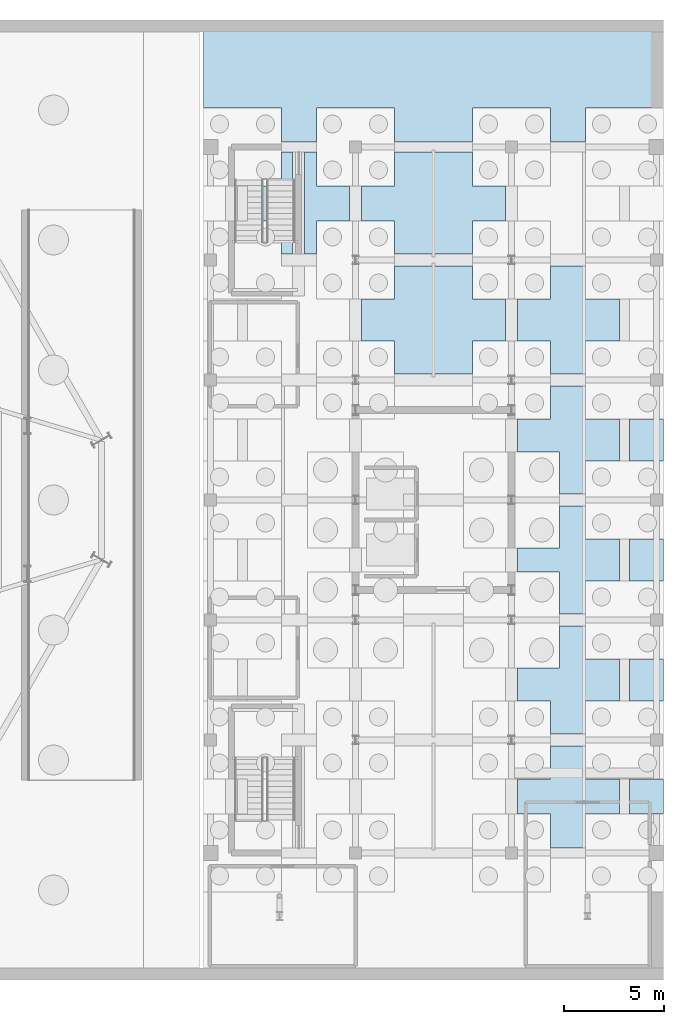
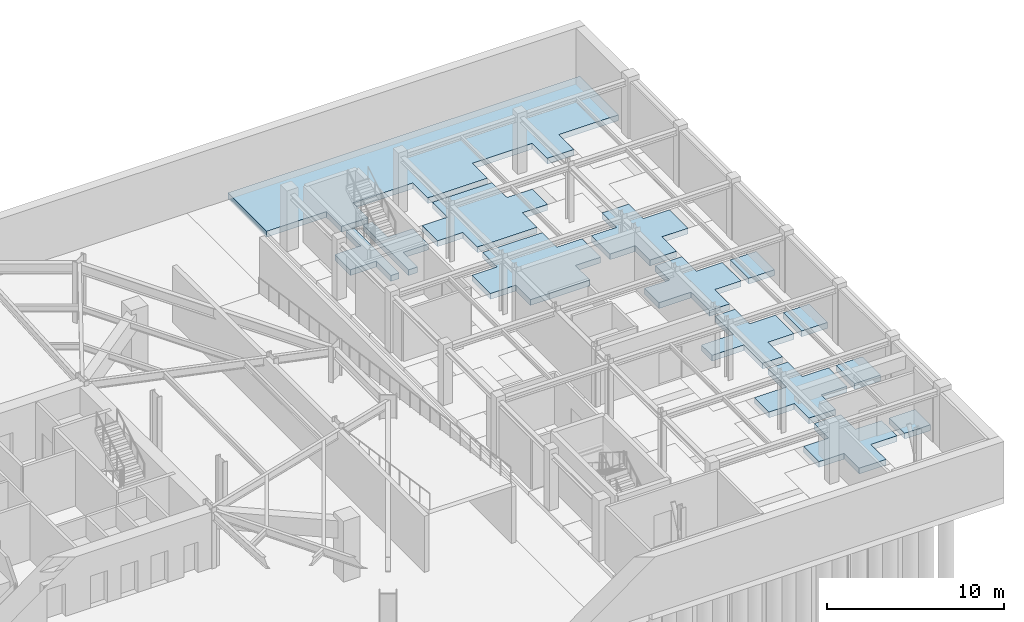
# One storey, part 11 of 18: 14 slabs.
"""IFC4 building model written with IfcOpenShell, lengths in metres."""

import ifcopenshell
import ifcopenshell.guid

model = None  # the IFC model being written
_history = None  # IfcOwnerHistory: only IFC2X3 demands one
_inside = {}  # id of a spatial element -> (the spatial element, [elements in it])
_under = {}  # id of a project, library or spatial element -> (it, [spatial elements below it])
_declared = {}  # id of a project -> (the project, [libraries it declares])
_typed = {}  # id of a type object -> (the type object, [elements of that type])
_made_of = {}  # id of a material, layer set ... -> (it, [elements and type objects made of it])


def new_model(schema):
    """Start an empty IFC model of exactly this schema.

    Asked for "IFC4X3", IfcOpenShell would pick the latest addendum, in which some entities
    have other attributes; the version numbers below select the first issue.
    IFC2X3 requires an IfcOwnerHistory on every rooted entity: one is made here for all.
    """
    global model, _history
    if schema == "IFC4X3":
        model = ifcopenshell.file(schema_version=(4, 3, 0, 0))
    else:
        model = ifcopenshell.file(schema=schema)
    _inside.clear()
    _under.clear()
    _declared.clear()
    _typed.clear()
    _made_of.clear()
    _history = None
    if model.schema == "IFC2X3":
        org = make("IfcOrganization", Name="unknown")
        user = make(
            "IfcPersonAndOrganization",
            ThePerson=make("IfcPerson", FamilyName="unknown"),
            TheOrganization=org,
        )
        app = make(
            "IfcApplication",
            ApplicationDeveloper=org,
            Version="unknown",
            ApplicationFullName="unknown",
            ApplicationIdentifier="unknown",
        )
        _history = make(
            "IfcOwnerHistory",
            OwningUser=user,
            OwningApplication=app,
            ChangeAction="ADDED",
            CreationDate=0,
        )
    return model


def make(cls, **values):
    """One entity of the class cls with the attributes given. An attribute that is None is left unset."""
    return model.create_entity(
        cls, **{name: value for name, value in values.items() if value is not None}
    )


def rooted(cls, **values):
    """An entity with a GlobalId (a new one), such as an element, a storey or a relation."""
    return make(cls, GlobalId=ifcopenshell.guid.new(), OwnerHistory=_history, **values)


def si_unit(unit_type, name, prefix=None):
    """IfcSIUnit, for example si_unit("LENGTHUNIT", "METRE", prefix="MILLI")."""
    return make("IfcSIUnit", UnitType=unit_type, Prefix=prefix, Name=name)


def assignment(units):
    """IfcUnitAssignment: the units of a project."""
    return None if units is None else make("IfcUnitAssignment", Units=units)


def point(xyz):
    """IfcCartesianPoint."""
    return None if xyz is None else make("IfcCartesianPoint", Coordinates=xyz)


def direction(xyz):
    """IfcDirection."""
    return None if xyz is None else make("IfcDirection", DirectionRatios=xyz)


def frame(location, z_axis=None, x_axis=None):
    """IfcAxis2Placement3D, a coordinate frame: its origin and axes. An axis left out is left unset."""
    return make(
        "IfcAxis2Placement3D",
        Location=point(location),
        Axis=direction(z_axis),
        RefDirection=direction(x_axis),
    )


def origin():
    """The frame at (0, 0, 0) with its axes left unset."""
    return frame((0.0, 0.0, 0.0))


def place(relative_to, where):
    """IfcLocalPlacement: puts the frame where relative to a parent placement (None: the world)."""
    return make(
        "IfcLocalPlacement", PlacementRelTo=relative_to, RelativePlacement=where
    )


def context(
    kind, dimensions, precision=None, world=None, true_north=None, identifier=None
):
    """IfcGeometricRepresentationContext, for example the 3D "Model" context."""
    return make(
        "IfcGeometricRepresentationContext",
        ContextIdentifier=identifier,
        ContextType=kind,
        CoordinateSpaceDimension=dimensions,
        Precision=precision,
        WorldCoordinateSystem=world,
        TrueNorth=true_north,
    )


def subcontext(parent, identifier, kind, view, scale=None):
    """IfcGeometricRepresentationSubContext, for example "Body" below "Model"."""
    return make(
        "IfcGeometricRepresentationSubContext",
        ContextIdentifier=identifier,
        ContextType=kind,
        ParentContext=parent,
        TargetScale=scale,
        TargetView=view,
    )


def project(units=None, contexts=None):
    """IfcProject with its units and contexts."""
    return rooted(
        "IfcProject",
        Name="project",
        RepresentationContexts=contexts,
        UnitsInContext=assignment(units),
    )


def spatial(cls, under=None, at=None, **own):
    """A site, building, storey or space (cls), placed at a placement, below another one or the project."""
    s = rooted(cls, ObjectPlacement=at, **own)
    if under is not None:
        _under.setdefault(under.id(), (under, []))[1].append(s)
    return s


def polyline(points):
    """IfcPolyline through the points."""
    return make("IfcPolyline", Points=[point(p) for p in points])


def outline(outer, holes=None, kind="AREA"):
    """IfcArbitraryClosedProfileDef: a profile drawn as a closed curve; with holes, ...WithVoids."""
    if holes is None:
        return make("IfcArbitraryClosedProfileDef", ProfileType=kind, OuterCurve=outer)
    return make(
        "IfcArbitraryProfileDefWithVoids",
        ProfileType=kind,
        OuterCurve=outer,
        InnerCurves=holes,
    )


def extrude(swept, where, along, depth):
    """IfcExtrudedAreaSolid: the profile swept, set in the frame where, extruded along a direction by depth."""
    return make(
        "IfcExtrudedAreaSolid",
        SweptArea=swept,
        Position=where,
        ExtrudedDirection=direction(along),
        Depth=depth,
    )


def shape(context_of_items, identifier, shape_type, items):
    """IfcShapeRepresentation: the items that make up one representation, for example the "Body"."""
    return make(
        "IfcShapeRepresentation",
        ContextOfItems=context_of_items,
        RepresentationIdentifier=identifier,
        RepresentationType=shape_type,
        Items=items,
    )


def material(Name=None, Category=None):
    """IfcMaterial."""
    return make("IfcMaterial", Name=Name, Category=Category)


def layer(
    of_material, thickness, ventilated=None, Name=None, Category=None, Priority=None
):
    """IfcMaterialLayer: one layer of a wall or slab, of a material (None: an air gap)."""
    return make(
        "IfcMaterialLayer",
        Material=of_material,
        LayerThickness=thickness,
        IsVentilated=ventilated,
        Name=Name,
        Category=Category,
        Priority=Priority,
    )


def layer_set(layers, Name=None):
    """IfcMaterialLayerSet."""
    return make("IfcMaterialLayerSet", MaterialLayers=layers, LayerSetName=Name)


def made_of(thing, what):
    """Note that an element or type object is made of a material, layer set ...; save() writes the relation."""
    if what is not None:
        _made_of.setdefault(what.id(), (what, []))[1].append(thing)
    return thing


def type_object(cls, material=None, **own):
    """A type object (cls), such as IfcWallType, which elements share."""
    return made_of(rooted(cls, **own), material)


def element(
    cls,
    number,
    at=None,
    inside=None,
    cuts=None,
    type_object=None,
    material=None,
    context=None,
    identifier="Body",
    shape_type=None,
    held_by="IfcProductDefinitionShape",
    body=None,
    shapes=None,
    **own,
):
    """One element of the class cls, such as IfcWall. Its Tag is "e" and its number.

    at: its placement. inside: the storey or other place that contains it. cuts: it is an
    opening in that element (IfcRelVoidsElement). A single representation is given by context,
    identifier, shape_type and body (its items); several are given by shapes. held_by: the class
    of the entity that holds the representations. save() writes the other relations.
    """
    e = rooted(cls, Tag="e%d" % number, ObjectPlacement=at, **own)
    if body is not None:
        shapes = [shape(context, identifier, shape_type, body)]
    if shapes is not None:
        e.Representation = make(held_by, Representations=shapes)
    if inside is not None:
        _inside.setdefault(inside.id(), (inside, []))[1].append(e)
    if cuts is not None:
        rooted(
            "IfcRelVoidsElement", RelatingBuildingElement=cuts, RelatedOpeningElement=e
        )
    if type_object is not None:
        _typed.setdefault(type_object.id(), (type_object, []))[1].append(e)
    return made_of(e, material)


def aggregate(whole, parts):
    """IfcRelAggregates: a whole, such as a stair, and the parts it consists of."""
    return rooted("IfcRelAggregates", RelatingObject=whole, RelatedObjects=parts)


def save(model, path):
    """Write the relations noted so far, then the file.

    IfcRelAggregates (storeys below a building ...), IfcRelContainedInSpatialStructure (elements
    in a storey), IfcRelDefinesByType, IfcRelAssociatesMaterial and IfcRelDeclares: one each for
    every whole, place, type object, material and project.
    """
    for whole, parts in _under.values():
        aggregate(whole, parts)
    for where, things in _inside.values():
        rooted(
            "IfcRelContainedInSpatialStructure",
            RelatedElements=things,
            RelatingStructure=where,
        )
    for kind, things in _typed.values():
        rooted("IfcRelDefinesByType", RelatedObjects=things, RelatingType=kind)
    for what, things in _made_of.values():
        rooted("IfcRelAssociatesMaterial", RelatedObjects=things, RelatingMaterial=what)
    for by, libraries in _declared.values():
        rooted("IfcRelDeclares", RelatingContext=by, RelatedDefinitions=libraries)
    model.write(path)


model = new_model("IFC4")

# Units and contexts
model_context = context("Model", 3, precision=1e-05, world=origin(), true_north=direction((0.0, 1.0)))
body_context = subcontext(model_context, "Body", "Model", "MODEL_VIEW")
ifc_project = project(units=[si_unit("LENGTHUNIT", "METRE"), si_unit("AREAUNIT", "SQUARE_METRE"), si_unit("VOLUMEUNIT", "CUBIC_METRE"), si_unit("PLANEANGLEUNIT", "RADIAN"), si_unit("MASSUNIT", "GRAM", prefix="KILO")], contexts=[model_context])

# Site, building, storey
site_placement = place(None, origin())
site = spatial("IfcSite", under=ifc_project, at=site_placement, CompositionType="ELEMENT")
building_placement = place(site_placement, origin())
building = spatial("IfcBuilding", under=site, at=building_placement, Name="Kranzbogen Civic Tower", CompositionType="ELEMENT")
storey_placement = place(building_placement, frame((0.0, 0.0, -8.39990234375)))
storey = spatial("IfcBuildingStorey", under=building, at=storey_placement, Name="B02", CompositionType="ELEMENT", Elevation=-8.39990234375)

# Slabs
ifc_material = material(Name="Concrete C40/50", Category="concrete")
ifc_layer = layer(ifc_material, 0.39990234375, Name="Concrete C40/50")
ifc_layer_set = layer_set([ifc_layer], Name="Concrete C40/50")
slab_type = type_object("IfcSlabType", Name="Basement Structural Base Slab 400 mm", PredefinedType="BASESLAB", material=ifc_layer_set)
slab_1_placement = place(storey_placement, frame((0.0, 0.0, -0.400146484375)))
element("IfcSlab", 1, at=slab_1_placement, inside=storey, type_object=slab_type, Name="B02 basement structural base slab 2", PredefinedType="BASESLAB", context=body_context, shape_type="SweptSolid", body=[
    extrude(outline(polyline([(75.0, 11.048095703125), (73.302001953125, 11.048095703125), (73.302001953125, 9.302001953125), (75.0, 9.302001953125), (75.0, 11.048095703125)])), origin(), (0.0, 0.0, 1.0), 0.400146484375),
])
slab_2_placement = place(storey_placement, frame((0.0, 0.0, -0.400146484375)))
element("IfcSlab", 2, at=slab_2_placement, inside=storey, type_object=slab_type, Name="B02 basement structural base slab 3", PredefinedType="BASESLAB", context=body_context, shape_type="SweptSolid", body=[
    extrude(outline(polyline([(75.0, 17.048095703125), (73.302001953125, 17.048095703125), (73.302001953125, 14.951904296875), (75.0, 14.951904296875), (75.0, 17.048095703125)])), origin(), (0.0, 0.0, 1.0), 0.400146484375),
])
slab_3_placement = place(storey_placement, frame((0.0, 0.0, -0.400146484375)))
element("IfcSlab", 3, at=slab_3_placement, inside=storey, type_object=slab_type, Name="B02 basement structural base slab 4", PredefinedType="BASESLAB", context=body_context, shape_type="SweptSolid", body=[
    extrude(outline(polyline([(75.0, 23.048095703125), (73.302001953125, 23.048095703125), (73.302001953125, 20.951904296875), (75.0, 20.951904296875), (75.0, 23.048095703125)])), origin(), (0.0, 0.0, 1.0), 0.400146484375),
])
slab_4_placement = place(storey_placement, frame((0.0, 0.0, -0.400146484375)))
element("IfcSlab", 4, at=slab_4_placement, inside=storey, type_object=slab_type, Name="B02 basement structural base slab 5", PredefinedType="BASESLAB", context=body_context, shape_type="SweptSolid", body=[
    extrude(outline(polyline([(75.0, 29.048095703125), (73.302001953125, 29.048095703125), (73.302001953125, 26.951904296875), (75.0, 26.951904296875), (75.0, 29.048095703125)])), origin(), (0.0, 0.0, 1.0), 0.400146484375),
])
slab_5_placement = place(storey_placement, frame((0.0, 0.0, -0.400146484375)))
element("IfcSlab", 5, at=slab_5_placement, inside=storey, type_object=slab_type, Name="B02 basement structural base slab 8", PredefinedType="BASESLAB", context=body_context, shape_type="SweptSolid", body=[
    extrude(outline(polyline([(52.0, 44.60205078125), (55.89990234375, 44.60205078125), (55.89990234375, 44.60205078125), (55.89990234375, 44.60205078125), (55.90087890625, 44.60205078125), (55.90087890625, 44.60205078125), (55.90087890625, 44.60205078125), (55.90087890625, 44.60205078125), (55.90087890625, 44.60205078125), (55.90087890625, 44.60107421875), (55.902099609375, 44.60107421875), (55.902099609375, 44.60107421875), (55.902099609375, 44.60107421875), (55.902099609375, 44.60107421875), (55.902099609375, 44.60107421875), (55.902099609375, 44.60009765625), (55.902099609375, 44.60009765625), (55.902099609375, 44.60009765625), (55.902099609375, 42.902099609375), (57.64794921875, 42.902099609375), (57.64794921875, 44.60009765625), (57.64794921875, 44.60009765625), (57.64794921875, 44.60009765625), (57.64794921875, 44.60107421875), (57.64794921875, 44.60107421875), (57.64794921875, 44.60107421875), (57.64794921875, 44.60107421875), (57.64794921875, 44.60107421875), (57.64892578125, 44.60107421875), (57.64892578125, 44.60205078125), (57.64892578125, 44.60205078125), (57.64892578125, 44.60205078125), (57.64892578125, 44.60205078125), (57.64892578125, 44.60205078125), (57.64990234375, 44.60205078125), (57.64990234375, 44.60205078125), (57.64990234375, 44.60205078125), (61.550048828125, 44.60205078125), (61.550048828125, 44.60205078125), (61.550048828125, 44.60205078125), (61.551025390625, 44.60205078125), (61.551025390625, 44.60205078125), (61.551025390625, 44.60205078125), (61.551025390625, 44.60205078125), (61.551025390625, 44.60205078125), (61.551025390625, 44.60107421875), (61.552001953125, 44.60107421875), (61.552001953125, 44.60107421875), (61.552001953125, 44.60107421875), (61.552001953125, 44.60107421875), (61.552001953125, 44.60107421875), (61.552001953125, 44.60009765625), (61.552001953125, 44.60009765625), (61.552001953125, 44.60009765625), (61.552001953125, 42.902099609375), (65.447998046875, 42.902099609375), (65.447998046875, 44.60009765625), (65.447998046875, 44.60009765625), (65.447998046875, 44.60009765625), (65.447998046875, 44.60107421875), (65.447998046875, 44.60107421875), (65.447998046875, 44.60107421875), (65.447998046875, 44.60107421875), (65.447998046875, 44.60107421875), (65.448974609375, 44.60107421875), (65.448974609375, 44.60205078125), (65.448974609375, 44.60205078125), (65.448974609375, 44.60205078125), (65.448974609375, 44.60205078125), (65.448974609375, 44.60205078125), (65.449951171875, 44.60205078125), (65.449951171875, 44.60205078125), (65.449951171875, 44.60205078125), (69.35009765625, 44.60205078125), (69.35009765625, 44.60205078125), (69.35009765625, 44.60205078125), (69.35107421875, 44.60205078125), (69.35107421875, 44.60205078125), (69.35107421875, 44.60205078125), (69.35107421875, 44.60205078125), (69.35107421875, 44.60205078125), (69.35107421875, 44.60107421875), (69.35205078125, 44.60107421875), (69.35205078125, 44.60107421875), (69.35205078125, 44.60107421875), (69.35205078125, 44.60107421875), (69.35205078125, 44.60107421875), (69.35205078125, 44.60009765625), (69.35205078125, 44.60009765625), (69.35205078125, 44.60009765625), (69.35205078125, 42.902099609375), (71.097900390625, 42.902099609375), (71.097900390625, 44.60009765625), (71.097900390625, 44.60009765625), (71.097900390625, 44.60009765625), (71.097900390625, 44.60107421875), (71.097900390625, 44.60107421875), (71.097900390625, 44.60107421875), (71.097900390625, 44.60107421875), (71.097900390625, 44.60107421875), (71.09912109375, 44.60107421875), (71.09912109375, 44.60205078125), (71.09912109375, 44.60205078125), (71.09912109375, 44.60205078125), (71.09912109375, 44.60205078125), (71.09912109375, 44.60205078125), (71.10009765625, 44.60205078125), (71.10009765625, 44.60205078125), (71.10009765625, 44.60205078125), (75.0, 44.60205078125), (75.0, 49.0), (52.0, 49.0), (52.0, 44.60205078125)])), origin(), (0.0, 0.0, 1.0), 0.400146484375),
])
slab_6_placement = place(storey_placement, frame((0.0, 0.0, -0.400146484375)))
element("IfcSlab", 6, at=slab_6_placement, inside=storey, type_object=slab_type, Name="B02 basement structural base slab 15", PredefinedType="BASESLAB", context=body_context, shape_type="SweptSolid", body=[
    extrude(outline(polyline([(69.800048828125, 27.402099609375), (69.800048828125, 27.402099609375), (69.800048828125, 27.402099609375), (69.801025390625, 27.402099609375), (69.801025390625, 27.402099609375), (69.801025390625, 27.402099609375), (69.801025390625, 27.402099609375), (69.801025390625, 27.402099609375), (69.801025390625, 27.40087890625), (69.802001953125, 27.40087890625), (69.802001953125, 27.40087890625), (69.802001953125, 27.40087890625), (69.802001953125, 27.40087890625), (69.802001953125, 27.40087890625), (69.802001953125, 27.39990234375), (69.802001953125, 27.39990234375), (69.802001953125, 27.39990234375), (69.802001953125, 25.302001953125), (71.097900390625, 25.302001953125), (71.097900390625, 26.949951171875), (71.097900390625, 26.949951171875), (71.097900390625, 26.949951171875), (71.097900390625, 26.950927734375), (71.097900390625, 26.950927734375), (71.097900390625, 26.950927734375), (71.097900390625, 26.950927734375), (71.097900390625, 26.950927734375), (71.09912109375, 26.950927734375), (71.09912109375, 26.951904296875), (71.09912109375, 26.951904296875), (71.09912109375, 26.951904296875), (71.09912109375, 26.951904296875), (71.09912109375, 26.951904296875), (71.10009765625, 26.951904296875), (71.10009765625, 26.951904296875), (71.10009765625, 26.951904296875), (72.798095703125, 26.951904296875), (72.798095703125, 29.048095703125), (71.10009765625, 29.048095703125), (71.10009765625, 29.048095703125), (71.10009765625, 29.048095703125), (71.09912109375, 29.048095703125), (71.09912109375, 29.048095703125), (71.09912109375, 29.048095703125), (71.09912109375, 29.048095703125), (71.09912109375, 29.048095703125), (71.09912109375, 29.049072265625), (71.097900390625, 29.049072265625), (71.097900390625, 29.049072265625), (71.097900390625, 29.049072265625), (71.097900390625, 29.049072265625), (71.097900390625, 29.049072265625), (71.097900390625, 29.050048828125), (71.097900390625, 29.050048828125), (71.097900390625, 29.050048828125), (71.097900390625, 30.697998046875), (69.35205078125, 30.697998046875), (69.35205078125, 29.050048828125), (69.35205078125, 29.050048828125), (69.35205078125, 29.050048828125), (69.35205078125, 29.049072265625), (69.35205078125, 29.049072265625), (69.35205078125, 29.049072265625), (69.35205078125, 29.049072265625), (69.35205078125, 29.049072265625), (69.35107421875, 29.049072265625), (69.35107421875, 29.048095703125), (69.35107421875, 29.048095703125), (69.35107421875, 29.048095703125), (69.35107421875, 29.048095703125), (69.35107421875, 29.048095703125), (69.35009765625, 29.048095703125), (69.35009765625, 29.048095703125), (69.35009765625, 29.048095703125), (67.701904296875, 29.048095703125), (67.701904296875, 27.402099609375), (69.800048828125, 27.402099609375)])), origin(), (0.0, 0.0, 1.0), 0.400146484375),
])
slab_7_placement = place(storey_placement, frame((0.0, 0.0, -0.400146484375)))
element("IfcSlab", 7, at=slab_7_placement, inside=storey, type_object=slab_type, Name="B02 basement structural base slab 16", PredefinedType="BASESLAB", context=body_context, shape_type="SweptSolid", body=[
    extrude(outline(polyline([(69.35205078125, 11.050048828125), (69.35205078125, 11.050048828125), (69.35205078125, 11.050048828125), (69.35205078125, 11.049072265625), (69.35205078125, 11.049072265625), (69.35205078125, 11.049072265625), (69.35205078125, 11.049072265625), (69.35205078125, 11.049072265625), (69.35107421875, 11.049072265625), (69.35107421875, 11.048095703125), (69.35107421875, 11.048095703125), (69.35107421875, 11.048095703125), (69.35107421875, 11.048095703125), (69.35107421875, 11.048095703125), (69.35009765625, 11.048095703125), (69.35009765625, 11.048095703125), (69.35009765625, 11.048095703125), (67.701904296875, 11.048095703125), (67.701904296875, 9.302001953125), (69.35009765625, 9.302001953125), (69.35009765625, 9.302001953125), (69.35009765625, 9.302001953125), (69.35107421875, 9.302001953125), (69.35107421875, 9.302001953125), (69.35107421875, 9.302001953125), (69.35107421875, 9.302001953125), (69.35107421875, 9.302001953125), (69.35107421875, 9.301025390625), (69.35205078125, 9.301025390625), (69.35205078125, 9.301025390625), (69.35205078125, 9.301025390625), (69.35205078125, 9.301025390625), (69.35205078125, 9.301025390625), (69.35205078125, 9.300048828125), (69.35205078125, 9.300048828125), (69.35205078125, 9.300048828125), (69.35205078125, 7.60205078125), (71.097900390625, 7.60205078125), (71.097900390625, 9.300048828125), (71.097900390625, 9.300048828125), (71.097900390625, 9.300048828125), (71.097900390625, 9.301025390625), (71.097900390625, 9.301025390625), (71.097900390625, 9.301025390625), (71.097900390625, 9.301025390625), (71.097900390625, 9.301025390625), (71.09912109375, 9.301025390625), (71.09912109375, 9.302001953125), (71.09912109375, 9.302001953125), (71.09912109375, 9.302001953125), (71.09912109375, 9.302001953125), (71.09912109375, 9.302001953125), (71.10009765625, 9.302001953125), (71.10009765625, 9.302001953125), (71.10009765625, 9.302001953125), (72.798095703125, 9.302001953125), (72.798095703125, 11.048095703125), (71.10009765625, 11.048095703125), (71.10009765625, 11.048095703125), (71.10009765625, 11.048095703125), (71.09912109375, 11.048095703125), (71.09912109375, 11.048095703125), (71.09912109375, 11.048095703125), (71.09912109375, 11.048095703125), (71.09912109375, 11.048095703125), (71.09912109375, 11.049072265625), (71.097900390625, 11.049072265625), (71.097900390625, 11.049072265625), (71.097900390625, 11.049072265625), (71.097900390625, 11.049072265625), (71.097900390625, 11.049072265625), (71.097900390625, 11.050048828125), (71.097900390625, 11.050048828125), (71.097900390625, 11.050048828125), (71.097900390625, 12.697998046875), (69.35205078125, 12.697998046875), (69.35205078125, 11.050048828125)])), origin(), (0.0, 0.0, 1.0), 0.400146484375),
])
slab_8_placement = place(storey_placement, frame((0.0, 0.0, -0.400146484375)))
element("IfcSlab", 8, at=slab_8_placement, inside=storey, type_object=slab_type, Name="B02 basement structural base slab 18", PredefinedType="BASESLAB", context=body_context, shape_type="SweptSolid", body=[
    extrude(outline(polyline([(69.35009765625, 32.951904296875), (69.35009765625, 32.951904296875), (69.35009765625, 32.951904296875), (69.35107421875, 32.951904296875), (69.35107421875, 32.951904296875), (69.35107421875, 32.951904296875), (69.35107421875, 32.951904296875), (69.35107421875, 32.951904296875), (69.35107421875, 32.950927734375), (69.35205078125, 32.950927734375), (69.35205078125, 32.950927734375), (69.35205078125, 32.950927734375), (69.35205078125, 32.950927734375), (69.35205078125, 32.950927734375), (69.35205078125, 32.949951171875), (69.35205078125, 32.949951171875), (69.35205078125, 32.949951171875), (69.35205078125, 31.302001953125), (71.097900390625, 31.302001953125), (71.097900390625, 32.949951171875), (71.097900390625, 32.949951171875), (71.097900390625, 32.949951171875), (71.097900390625, 32.950927734375), (71.097900390625, 32.950927734375), (71.097900390625, 32.950927734375), (71.097900390625, 32.950927734375), (71.097900390625, 32.950927734375), (71.09912109375, 32.950927734375), (71.09912109375, 32.951904296875), (71.09912109375, 32.951904296875), (71.09912109375, 32.951904296875), (71.09912109375, 32.951904296875), (71.09912109375, 32.951904296875), (71.10009765625, 32.951904296875), (71.10009765625, 32.951904296875), (71.10009765625, 32.951904296875), (72.798095703125, 32.951904296875), (72.798095703125, 35.048095703125), (71.10009765625, 35.048095703125), (71.10009765625, 35.048095703125), (71.10009765625, 35.048095703125), (71.09912109375, 35.048095703125), (71.09912109375, 35.048095703125), (71.09912109375, 35.048095703125), (71.09912109375, 35.048095703125), (71.09912109375, 35.048095703125), (71.09912109375, 35.049072265625), (71.097900390625, 35.049072265625), (71.097900390625, 35.049072265625), (71.097900390625, 35.049072265625), (71.097900390625, 35.049072265625), (71.097900390625, 35.049072265625), (71.097900390625, 35.050048828125), (71.097900390625, 35.050048828125), (71.097900390625, 35.050048828125), (71.097900390625, 36.697998046875), (69.35205078125, 36.697998046875), (69.35205078125, 35.050048828125), (69.35205078125, 35.050048828125), (69.35205078125, 35.050048828125), (69.35205078125, 35.049072265625), (69.35205078125, 35.049072265625), (69.35205078125, 35.049072265625), (69.35205078125, 35.049072265625), (69.35205078125, 35.049072265625), (69.35107421875, 35.049072265625), (69.35107421875, 35.048095703125), (69.35107421875, 35.048095703125), (69.35107421875, 35.048095703125), (69.35107421875, 35.048095703125), (69.35107421875, 35.048095703125), (69.35009765625, 35.048095703125), (69.35009765625, 35.048095703125), (69.35009765625, 35.048095703125), (67.701904296875, 35.048095703125), (67.701904296875, 32.951904296875), (69.35009765625, 32.951904296875)])), origin(), (0.0, 0.0, 1.0), 0.400146484375),
])
slab_9_placement = place(storey_placement, frame((0.0, 0.0, -0.400146484375)))
element("IfcSlab", 9, at=slab_9_placement, inside=storey, type_object=slab_type, Name="B02 basement structural base slab 19", PredefinedType="BASESLAB", context=body_context, shape_type="SweptSolid", body=[
    extrude(outline(polyline([(67.701904296875, 21.402099609375), (69.800048828125, 21.402099609375), (69.800048828125, 21.402099609375), (69.800048828125, 21.402099609375), (69.801025390625, 21.402099609375), (69.801025390625, 21.402099609375), (69.801025390625, 21.402099609375), (69.801025390625, 21.402099609375), (69.801025390625, 21.402099609375), (69.801025390625, 21.40087890625), (69.802001953125, 21.40087890625), (69.802001953125, 21.40087890625), (69.802001953125, 21.40087890625), (69.802001953125, 21.40087890625), (69.802001953125, 21.40087890625), (69.802001953125, 21.39990234375), (69.802001953125, 21.39990234375), (69.802001953125, 21.39990234375), (69.802001953125, 19.302001953125), (71.097900390625, 19.302001953125), (71.097900390625, 20.949951171875), (71.097900390625, 20.949951171875), (71.097900390625, 20.949951171875), (71.097900390625, 20.950927734375), (71.097900390625, 20.950927734375), (71.097900390625, 20.950927734375), (71.097900390625, 20.950927734375), (71.097900390625, 20.950927734375), (71.09912109375, 20.950927734375), (71.09912109375, 20.951904296875), (71.09912109375, 20.951904296875), (71.09912109375, 20.951904296875), (71.09912109375, 20.951904296875), (71.09912109375, 20.951904296875), (71.10009765625, 20.951904296875), (71.10009765625, 20.951904296875), (71.10009765625, 20.951904296875), (72.798095703125, 20.951904296875), (72.798095703125, 23.048095703125), (71.10009765625, 23.048095703125), (71.10009765625, 23.048095703125), (71.10009765625, 23.048095703125), (71.09912109375, 23.048095703125), (71.09912109375, 23.048095703125), (71.09912109375, 23.048095703125), (71.09912109375, 23.048095703125), (71.09912109375, 23.048095703125), (71.09912109375, 23.049072265625), (71.097900390625, 23.049072265625), (71.097900390625, 23.049072265625), (71.097900390625, 23.049072265625), (71.097900390625, 23.049072265625), (71.097900390625, 23.049072265625), (71.097900390625, 23.050048828125), (71.097900390625, 23.050048828125), (71.097900390625, 23.050048828125), (71.097900390625, 24.697998046875), (69.802001953125, 24.697998046875), (69.802001953125, 22.60009765625), (69.802001953125, 22.60009765625), (69.802001953125, 22.60009765625), (69.802001953125, 22.59912109375), (69.802001953125, 22.59912109375), (69.802001953125, 22.59912109375), (69.802001953125, 22.59912109375), (69.802001953125, 22.59912109375), (69.801025390625, 22.59912109375), (69.801025390625, 22.597900390625), (69.801025390625, 22.597900390625), (69.801025390625, 22.597900390625), (69.801025390625, 22.597900390625), (69.801025390625, 22.597900390625), (69.800048828125, 22.597900390625), (69.800048828125, 22.597900390625), (69.800048828125, 22.597900390625), (67.701904296875, 22.597900390625), (67.701904296875, 21.402099609375)])), origin(), (0.0, 0.0, 1.0), 0.400146484375),
])
slab_10_placement = place(storey_placement, frame((0.0, 0.0, -0.400146484375)))
element("IfcSlab", 10, at=slab_10_placement, inside=storey, type_object=slab_type, Name="B02 basement structural base slab 20", PredefinedType="BASESLAB", context=body_context, shape_type="SweptSolid", body=[
    extrude(outline(polyline([(67.701904296875, 14.951904296875), (69.35009765625, 14.951904296875), (69.35009765625, 14.951904296875), (69.35009765625, 14.951904296875), (69.35107421875, 14.951904296875), (69.35107421875, 14.951904296875), (69.35107421875, 14.951904296875), (69.35107421875, 14.951904296875), (69.35107421875, 14.951904296875), (69.35107421875, 14.950927734375), (69.35205078125, 14.950927734375), (69.35205078125, 14.950927734375), (69.35205078125, 14.950927734375), (69.35205078125, 14.950927734375), (69.35205078125, 14.950927734375), (69.35205078125, 14.949951171875), (69.35205078125, 14.949951171875), (69.35205078125, 14.949951171875), (69.35205078125, 13.302001953125), (71.097900390625, 13.302001953125), (71.097900390625, 14.949951171875), (71.097900390625, 14.949951171875), (71.097900390625, 14.949951171875), (71.097900390625, 14.950927734375), (71.097900390625, 14.950927734375), (71.097900390625, 14.950927734375), (71.097900390625, 14.950927734375), (71.097900390625, 14.950927734375), (71.09912109375, 14.950927734375), (71.09912109375, 14.951904296875), (71.09912109375, 14.951904296875), (71.09912109375, 14.951904296875), (71.09912109375, 14.951904296875), (71.09912109375, 14.951904296875), (71.10009765625, 14.951904296875), (71.10009765625, 14.951904296875), (71.10009765625, 14.951904296875), (72.798095703125, 14.951904296875), (72.798095703125, 17.048095703125), (71.10009765625, 17.048095703125), (71.10009765625, 17.048095703125), (71.10009765625, 17.048095703125), (71.09912109375, 17.048095703125), (71.09912109375, 17.048095703125), (71.09912109375, 17.048095703125), (71.09912109375, 17.048095703125), (71.09912109375, 17.048095703125), (71.09912109375, 17.049072265625), (71.097900390625, 17.049072265625), (71.097900390625, 17.049072265625), (71.097900390625, 17.049072265625), (71.097900390625, 17.049072265625), (71.097900390625, 17.049072265625), (71.097900390625, 17.050048828125), (71.097900390625, 17.050048828125), (71.097900390625, 17.050048828125), (71.097900390625, 18.697998046875), (69.802001953125, 18.697998046875), (69.802001953125, 16.60009765625), (69.802001953125, 16.60009765625), (69.802001953125, 16.60009765625), (69.802001953125, 16.59912109375), (69.802001953125, 16.59912109375), (69.802001953125, 16.59912109375), (69.802001953125, 16.59912109375), (69.802001953125, 16.59912109375), (69.801025390625, 16.59912109375), (69.801025390625, 16.597900390625), (69.801025390625, 16.597900390625), (69.801025390625, 16.597900390625), (69.801025390625, 16.597900390625), (69.801025390625, 16.597900390625), (69.800048828125, 16.597900390625), (69.800048828125, 16.597900390625), (69.800048828125, 16.597900390625), (67.701904296875, 16.597900390625), (67.701904296875, 14.951904296875)])), origin(), (0.0, 0.0, 1.0), 0.400146484375),
])
slab_11_placement = place(storey_placement, frame((0.0, 0.0, -0.400146484375)))
element("IfcSlab", 11, at=slab_11_placement, inside=storey, type_object=slab_type, Name="B02 basement structural base slab 23", PredefinedType="BASESLAB", context=body_context, shape_type="SweptSolid", body=[
    extrude(outline(polyline([(61.552001953125, 40.699951171875), (61.552001953125, 40.699951171875), (61.552001953125, 40.699951171875), (61.552001953125, 40.698974609375), (61.552001953125, 40.698974609375), (61.552001953125, 40.698974609375), (61.552001953125, 40.698974609375), (61.552001953125, 40.698974609375), (61.551025390625, 40.698974609375), (61.551025390625, 40.697998046875), (61.551025390625, 40.697998046875), (61.551025390625, 40.697998046875), (61.551025390625, 40.697998046875), (61.551025390625, 40.697998046875), (61.550048828125, 40.697998046875), (61.550048828125, 40.697998046875), (61.550048828125, 40.697998046875), (59.902099609375, 40.697998046875), (59.902099609375, 38.951904296875), (61.550048828125, 38.951904296875), (61.550048828125, 38.951904296875), (61.550048828125, 38.951904296875), (61.551025390625, 38.951904296875), (61.551025390625, 38.951904296875), (61.551025390625, 38.951904296875), (61.551025390625, 38.951904296875), (61.551025390625, 38.951904296875), (61.551025390625, 38.950927734375), (61.552001953125, 38.950927734375), (61.552001953125, 38.950927734375), (61.552001953125, 38.950927734375), (61.552001953125, 38.950927734375), (61.552001953125, 38.950927734375), (61.552001953125, 38.949951171875), (61.552001953125, 38.949951171875), (61.552001953125, 38.949951171875), (61.552001953125, 37.302001953125), (65.447998046875, 37.302001953125), (65.447998046875, 38.949951171875), (65.447998046875, 38.949951171875), (65.447998046875, 38.949951171875), (65.447998046875, 38.950927734375), (65.447998046875, 38.950927734375), (65.447998046875, 38.950927734375), (65.447998046875, 38.950927734375), (65.447998046875, 38.950927734375), (65.448974609375, 38.950927734375), (65.448974609375, 38.951904296875), (65.448974609375, 38.951904296875), (65.448974609375, 38.951904296875), (65.448974609375, 38.951904296875), (65.448974609375, 38.951904296875), (65.449951171875, 38.951904296875), (65.449951171875, 38.951904296875), (65.449951171875, 38.951904296875), (67.097900390625, 38.951904296875), (67.097900390625, 40.697998046875), (65.449951171875, 40.697998046875), (65.449951171875, 40.697998046875), (65.449951171875, 40.697998046875), (65.448974609375, 40.697998046875), (65.448974609375, 40.697998046875), (65.448974609375, 40.697998046875), (65.448974609375, 40.697998046875), (65.448974609375, 40.697998046875), (65.448974609375, 40.698974609375), (65.447998046875, 40.698974609375), (65.447998046875, 40.698974609375), (65.447998046875, 40.698974609375), (65.447998046875, 40.698974609375), (65.447998046875, 40.698974609375), (65.447998046875, 40.699951171875), (65.447998046875, 40.699951171875), (65.447998046875, 40.699951171875), (65.447998046875, 42.39794921875), (61.552001953125, 42.39794921875), (61.552001953125, 40.699951171875)])), origin(), (0.0, 0.0, 1.0), 0.400146484375),
])
slab_12_placement = place(storey_placement, frame((0.0, 0.0, -0.400146484375)))
element("IfcSlab", 12, at=slab_12_placement, inside=storey, type_object=slab_type, Name="B02 basement structural base slab 24", PredefinedType="BASESLAB", context=body_context, shape_type="SweptSolid", body=[
    extrude(outline(polyline([(61.552001953125, 35.050048828125), (61.552001953125, 35.050048828125), (61.552001953125, 35.050048828125), (61.552001953125, 35.049072265625), (61.552001953125, 35.049072265625), (61.552001953125, 35.049072265625), (61.552001953125, 35.049072265625), (61.552001953125, 35.049072265625), (61.551025390625, 35.049072265625), (61.551025390625, 35.048095703125), (61.551025390625, 35.048095703125), (61.551025390625, 35.048095703125), (61.551025390625, 35.048095703125), (61.551025390625, 35.048095703125), (61.550048828125, 35.048095703125), (61.550048828125, 35.048095703125), (61.550048828125, 35.048095703125), (59.902099609375, 35.048095703125), (59.902099609375, 32.951904296875), (61.550048828125, 32.951904296875), (61.550048828125, 32.951904296875), (61.550048828125, 32.951904296875), (61.551025390625, 32.951904296875), (61.551025390625, 32.951904296875), (61.551025390625, 32.951904296875), (61.551025390625, 32.951904296875), (61.551025390625, 32.951904296875), (61.551025390625, 32.950927734375), (61.552001953125, 32.950927734375), (61.552001953125, 32.950927734375), (61.552001953125, 32.950927734375), (61.552001953125, 32.950927734375), (61.552001953125, 32.950927734375), (61.552001953125, 32.949951171875), (61.552001953125, 32.949951171875), (61.552001953125, 32.949951171875), (61.552001953125, 31.302001953125), (65.447998046875, 31.302001953125), (65.447998046875, 32.949951171875), (65.447998046875, 32.949951171875), (65.447998046875, 32.949951171875), (65.447998046875, 32.950927734375), (65.447998046875, 32.950927734375), (65.447998046875, 32.950927734375), (65.447998046875, 32.950927734375), (65.447998046875, 32.950927734375), (65.448974609375, 32.950927734375), (65.448974609375, 32.951904296875), (65.448974609375, 32.951904296875), (65.448974609375, 32.951904296875), (65.448974609375, 32.951904296875), (65.448974609375, 32.951904296875), (65.449951171875, 32.951904296875), (65.449951171875, 32.951904296875), (65.449951171875, 32.951904296875), (67.097900390625, 32.951904296875), (67.097900390625, 35.048095703125), (65.449951171875, 35.048095703125), (65.449951171875, 35.048095703125), (65.449951171875, 35.048095703125), (65.448974609375, 35.048095703125), (65.448974609375, 35.048095703125), (65.448974609375, 35.048095703125), (65.448974609375, 35.048095703125), (65.448974609375, 35.048095703125), (65.448974609375, 35.049072265625), (65.447998046875, 35.049072265625), (65.447998046875, 35.049072265625), (65.447998046875, 35.049072265625), (65.447998046875, 35.049072265625), (65.447998046875, 35.049072265625), (65.447998046875, 35.050048828125), (65.447998046875, 35.050048828125), (65.447998046875, 35.050048828125), (65.447998046875, 36.697998046875), (61.552001953125, 36.697998046875), (61.552001953125, 35.050048828125)])), origin(), (0.0, 0.0, 1.0), 0.400146484375),
])
slab_13_placement = place(storey_placement, frame((0.0, 0.0, -0.400146484375)))
element("IfcSlab", 13, at=slab_13_placement, inside=storey, type_object=slab_type, Name="B02 basement structural base slab 28", PredefinedType="BASESLAB", context=body_context, shape_type="SweptSolid", body=[
    extrude(outline(polyline([(57.052001953125, 42.39794921875), (57.052001953125, 37.302001953125), (57.64794921875, 37.302001953125), (57.64794921875, 38.949951171875), (57.64794921875, 38.949951171875), (57.64794921875, 38.949951171875), (57.64794921875, 38.950927734375), (57.64794921875, 38.950927734375), (57.64794921875, 38.950927734375), (57.64794921875, 38.950927734375), (57.64794921875, 38.950927734375), (57.64892578125, 38.950927734375), (57.64892578125, 38.951904296875), (57.64892578125, 38.951904296875), (57.64892578125, 38.951904296875), (57.64892578125, 38.951904296875), (57.64892578125, 38.951904296875), (57.64990234375, 38.951904296875), (57.64990234375, 38.951904296875), (57.64990234375, 38.951904296875), (59.298095703125, 38.951904296875), (59.298095703125, 40.697998046875), (57.64990234375, 40.697998046875), (57.64990234375, 40.697998046875), (57.64990234375, 40.697998046875), (57.64892578125, 40.697998046875), (57.64892578125, 40.697998046875), (57.64892578125, 40.697998046875), (57.64892578125, 40.697998046875), (57.64892578125, 40.697998046875), (57.64892578125, 40.698974609375), (57.64794921875, 40.698974609375), (57.64794921875, 40.698974609375), (57.64794921875, 40.698974609375), (57.64794921875, 40.698974609375), (57.64794921875, 40.698974609375), (57.64794921875, 40.699951171875), (57.64794921875, 40.699951171875), (57.64794921875, 40.699951171875), (57.64794921875, 42.39794921875), (57.052001953125, 42.39794921875)])), origin(), (0.0, 0.0, 1.0), 0.400146484375),
])
slab_14_placement = place(storey_placement, frame((0.0, 0.0, -0.400146484375)))
element("IfcSlab", 14, at=slab_14_placement, inside=storey, type_object=slab_type, Name="B02 basement structural base slab 34", PredefinedType="BASESLAB", context=body_context, shape_type="SweptSolid", body=[
    extrude(outline(polyline([(56.447998046875, 37.302001953125), (56.447998046875, 42.39794921875), (55.902099609375, 42.39794921875), (55.902099609375, 40.699951171875), (55.902099609375, 40.699951171875), (55.902099609375, 40.699951171875), (55.902099609375, 40.698974609375), (55.902099609375, 40.698974609375), (55.902099609375, 40.698974609375), (55.902099609375, 40.698974609375), (55.902099609375, 40.698974609375), (55.90087890625, 40.698974609375), (55.90087890625, 40.697998046875), (55.90087890625, 40.697998046875), (55.90087890625, 40.697998046875), (55.90087890625, 40.697998046875), (55.90087890625, 40.697998046875), (55.89990234375, 40.697998046875), (55.89990234375, 40.697998046875), (55.89990234375, 40.697998046875), (54.201904296875, 40.697998046875), (54.201904296875, 38.951904296875), (55.89990234375, 38.951904296875), (55.89990234375, 38.951904296875), (55.89990234375, 38.951904296875), (55.90087890625, 38.951904296875), (55.90087890625, 38.951904296875), (55.90087890625, 38.951904296875), (55.90087890625, 38.951904296875), (55.90087890625, 38.951904296875), (55.90087890625, 38.950927734375), (55.902099609375, 38.950927734375), (55.902099609375, 38.950927734375), (55.902099609375, 38.950927734375), (55.902099609375, 38.950927734375), (55.902099609375, 38.950927734375), (55.902099609375, 38.949951171875), (55.902099609375, 38.949951171875), (55.902099609375, 38.949951171875), (55.902099609375, 37.302001953125), (56.447998046875, 37.302001953125)])), origin(), (0.0, 0.0, 1.0), 0.400146484375),
])

save(model, "model.ifc")
